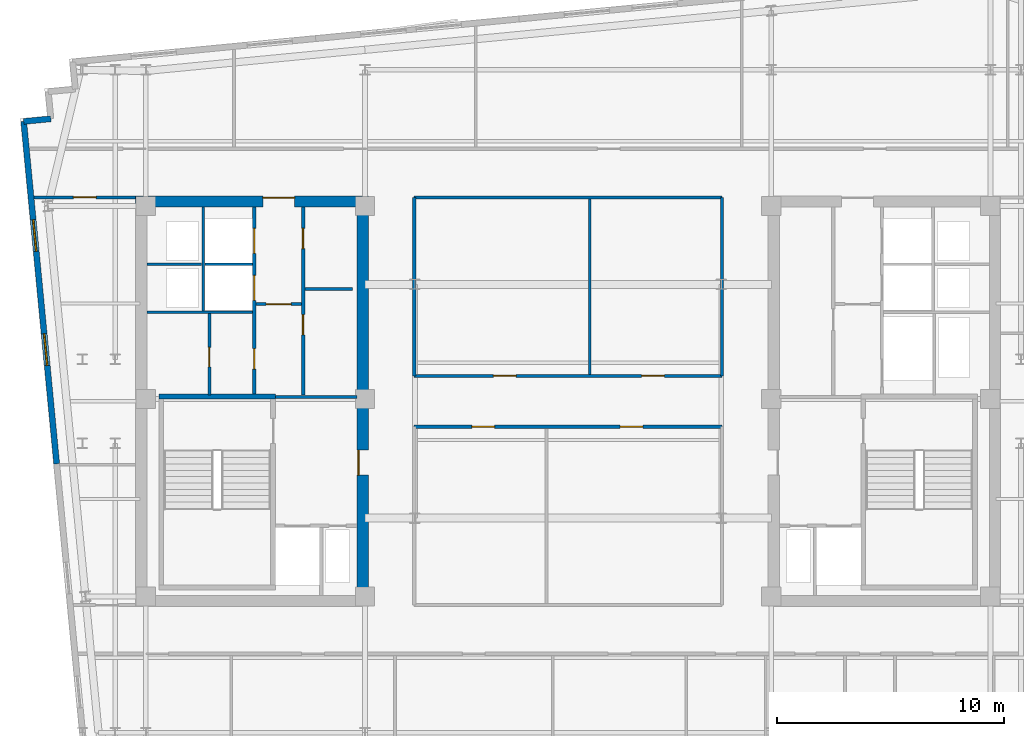
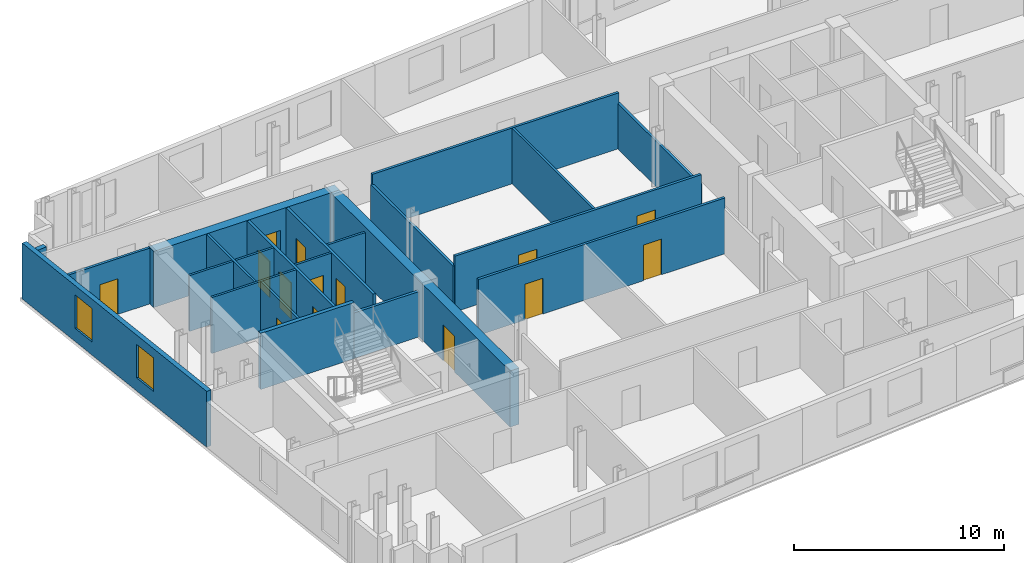
# One storey, part 4 of 9: 22 walls, 14 doors, 2 windows, 16 openings.
"""IFC4 building model written with IfcOpenShell, lengths in metres."""

from ifc_helpers import new_model, si_unit, direction, frame, frame_2d, origin, place, context, subcontext, project, spatial, rectangle, extrude, material, layer, layer_set, type_object, element, fill, save


model = new_model("IFC4")

# Units and contexts
model_context = context("Model", 3, precision=1e-05, world=origin(), true_north=direction((0.0, 1.0)))
body_context = subcontext(model_context, "Body", "Model", "MODEL_VIEW")
ifc_project = project(units=[si_unit("LENGTHUNIT", "METRE"), si_unit("AREAUNIT", "SQUARE_METRE"), si_unit("VOLUMEUNIT", "CUBIC_METRE"), si_unit("PLANEANGLEUNIT", "RADIAN"), si_unit("MASSUNIT", "GRAM", prefix="KILO")], contexts=[model_context])

# Site, building, storey
site_placement = place(None, origin())
site = spatial("IfcSite", under=ifc_project, at=site_placement, CompositionType="ELEMENT")
building_placement = place(site_placement, origin())
building = spatial("IfcBuilding", under=site, at=building_placement, Name="Velakula Bourse", CompositionType="ELEMENT")
storey_placement = place(building_placement, frame((0.0, 0.0, 268.949951171875)))
storey = spatial("IfcBuildingStorey", under=building, at=storey_placement, Name="L73", CompositionType="ELEMENT", Elevation=268.949951171875)

# Wall
ifc_material_1 = material(Name="Concrete M50 (fck 50 MPa)", Category="concrete")
ifc_layer_1 = layer(ifc_material_1, 0.2099609375, Name="Concrete M50 (fck 50 MPa)", Category="concrete")
ifc_layer_set_1 = layer_set([ifc_layer_1], Name="Concrete M50 (fck 50 MPa)")
wall_type_1 = type_object("IfcWallType", Name="WL-CORE-210", PredefinedType="SHEAR", material=ifc_layer_set_1)
wall_1_placement = place(storey_placement, frame((-12.889892578125, 0.205078125, 0.0), z_axis=(0.0, 0.0, 1.0), x_axis=(-1.0, 0.0, 0.0)))
element("IfcWall", 1, at=wall_1_placement, inside=storey, type_object=wall_type_1, Name="L73 Core W Stairwell Shear Wall N", PredefinedType="SHEAR", context=body_context, shape_type="SweptSolid", body=[
    extrude(rectangle(XDim=5.14013671875, YDim=0.2099609375, at=frame_2d((2.570068359375, 0.0))), origin(), (0.0, 0.0, 1.0), 3.27001953125),
])

# Wall, opening, door
ifc_layer_2 = layer(ifc_material_1, 0.5, Name="Concrete M50 (fck 50 MPa)", Category="concrete")
ifc_layer_set_2 = layer_set([ifc_layer_2], Name="Concrete M50 (fck 50 MPa)")
wall_type_2 = type_object("IfcWallType", Name="WL-CORE-500", PredefinedType="SHEAR", material=ifc_layer_set_2)
wall_2_placement = place(storey_placement, frame((-19.050048828125, 8.800048828125, 0.0), z_axis=(0.0, 0.0, 1.0), x_axis=(1.0, 0.0, 0.0)))
wall_2 = element("IfcWall", 2, at=wall_2_placement, inside=storey, type_object=wall_type_2, Name="L73 Core W Shear Wall N", PredefinedType="SHEAR", context=body_context, shape_type="SweptSolid", body=[
    extrude(rectangle(XDim=10.25, YDim=0.5, at=frame_2d((5.125, 0.0))), origin(), (0.0, 0.0, 1.0), 3.27001953125),
])
opening_1_placement = place(wall_2_placement, frame((5.60009765625, 0.0, 0.0)))
opening_1 = element("IfcOpeningElement", 3, at=opening_1_placement, cuts=wall_2, Name="Opening D-LLW", PredefinedType="OPENING", context=body_context, shape_type="SweptSolid", body=[
    extrude(rectangle(XDim=1.39990234375, YDim=2.050048828125, at=frame_2d((0.699951171875, 1.02490234375))), frame((0.0, 0.260009765625, 0.0), z_axis=(0.0, -1.0, 0.0), x_axis=(1.0, 0.0, 0.0)), (0.0, 0.0, 1.0), 0.52001953125),
])
ifc_material_2 = material(Name="Fire-rated hardwood flush architectural door", Category="wood")
door_type_1 = type_object("IfcDoorType", Name="DR-DBL-FD60-1400", OperationType="DOUBLE_DOOR_SINGLE_SWING", PredefinedType="DOOR", material=ifc_material_2)
door_1_placement = place(opening_1_placement, origin())
door_1 = element("IfcDoor", 4, at=door_1_placement, inside=storey, type_object=door_type_1, Name="L73 Core W Lift Lobby Corridor Double Door", OperationType="DOUBLE_DOOR_SINGLE_SWING", OverallHeight=2.050048828125, OverallWidth=1.39990234375, PredefinedType="DOOR", context=body_context, shape_type="SweptSolid", body=[
    extrude(rectangle(XDim=1.39990234375, YDim=2.050048828125, at=frame_2d((0.699951171875, 1.02490234375))), frame((0.0, 0.19482421875, 0.0), z_axis=(0.0, -1.0, 0.0), x_axis=(1.0, 0.0, 0.0)), (0.0, 0.0, 1.0), 0.050048828125),
])
fill(opening_1, door_1)

wall_3_placement = place(storey_placement, frame((-9.050048828125, -8.550048828125, 0.0), z_axis=(0.0, 0.0, 1.0), x_axis=(0.0, 1.0, 0.0)))
wall_3 = element("IfcWall", 5, at=wall_3_placement, inside=storey, type_object=wall_type_2, Name="L73 Core W Shear Wall E", PredefinedType="SHEAR", context=body_context, shape_type="SweptSolid", body=[
    extrude(rectangle(XDim=17.10009765625, YDim=0.5, at=frame_2d((8.550048828125, 0.0))), origin(), (0.0, 0.0, 1.0), 3.27001953125),
])
opening_2_placement = place(wall_3_placement, frame((5.300048828125, 0.0, 0.0)))
opening_2 = element("IfcOpeningElement", 6, at=opening_2_placement, cuts=wall_3, Name="Opening D-FLW", PredefinedType="OPENING", context=body_context, shape_type="SweptSolid", body=[
    extrude(rectangle(XDim=1.10009765625, YDim=2.080078125, at=frame_2d((0.550048828125, 1.0400390625))), frame((0.0, 0.260009765625, 0.0), z_axis=(0.0, -1.0, 0.0), x_axis=(1.0, 0.0, 0.0)), (0.0, 0.0, 1.0), 0.52001953125),
])
ifc_material_3 = material(Name="Galvanised painted hollow steel fire door", Category="steel")
door_type_2 = type_object("IfcDoorType", Name="DR-FD120-1100", OperationType="NOTDEFINED", PredefinedType="DOOR", material=ifc_material_3)
door_2_placement = place(opening_2_placement, origin())
door_2 = element("IfcDoor", 7, at=door_2_placement, inside=storey, type_object=door_type_2, Name="L73 Firefighting Lobby W Corridor Fire Door", OperationType="SINGLE_SWING_LEFT", OverallHeight=2.080078125, OverallWidth=1.10009765625, PredefinedType="DOOR", context=body_context, shape_type="SweptSolid", body=[
    extrude(rectangle(XDim=1.10009765625, YDim=2.080078125, at=frame_2d((0.550048828125, 1.0400390625))), frame((0.0, 0.205078125, 0.0), z_axis=(0.0, -1.0, 0.0), x_axis=(1.0, 0.0, 0.0)), (0.0, 0.0, 1.0), 0.050048828125),
])
fill(opening_2, door_2)

# Wall, openings, windows
ifc_material_4 = material(Name="Buff kilned clay facing brick masonry", Category="masonry")
ifc_layer_3 = layer(ifc_material_4, 0.260009765625, Name="Buff kilned clay facing brick masonry", Category="masonry")
ifc_layer_set_3 = layer_set([ifc_layer_3], Name="Buff kilned clay facing brick masonry")
wall_type_3 = type_object("IfcWallType", Name="WL-EXT-BRK-260", PredefinedType="STANDARD", material=ifc_layer_set_3)
wall_4_placement = place(storey_placement, frame((-22.52734375, -2.75439453125, 0.0), z_axis=(0.0, 0.0, 1.0), x_axis=(-0.095850890337, 0.995395703638, 0.0)))
wall_4 = element("IfcWall", 8, at=wall_4_placement, inside=storey, type_object=wall_type_3, Name="L73 W Brick End Wall W2", PredefinedType="STANDARD", context=body_context, shape_type="SweptSolid", body=[
    extrude(rectangle(XDim=15.150146484375, YDim=0.260009765625, at=frame_2d((7.5751953125, 0.0))), origin(), (0.0, 0.0, 1.0), 3.25),
])
opening_3_placement = place(wall_4_placement, frame((4.35009765625, 0.0, 0.760009765625)))
opening_3 = element("IfcOpeningElement", 9, at=opening_3_placement, cuts=wall_4, Name="Opening W-03", PredefinedType="OPENING", context=body_context, shape_type="SweptSolid", body=[
    extrude(rectangle(XDim=1.39990234375, YDim=1.949951171875, at=frame_2d((0.699951171875, 0.97509765625))), frame((0.0, 0.139892578125, 0.0), z_axis=(0.0, -1.0, 0.0), x_axis=(1.0, 0.0, 0.0)), (0.0, 0.0, 1.0), 0.280029296875),
])
opening_4_placement = place(wall_4_placement, frame((9.39990234375, 0.0, 0.760009765625)))
opening_4 = element("IfcOpeningElement", 10, at=opening_4_placement, cuts=wall_4, Name="Opening W-03", PredefinedType="OPENING", context=body_context, shape_type="SweptSolid", body=[
    extrude(rectangle(XDim=1.39990234375, YDim=1.949951171875, at=frame_2d((0.699951171875, 0.97509765625))), frame((0.0, 0.139892578125, 0.0), z_axis=(0.0, -1.0, 0.0), x_axis=(1.0, 0.0, 0.0)), (0.0, 0.0, 1.0), 0.280029296875),
])
ifc_material_5 = material(Name="Double-glazed solar-control Low-E glass", Category="glass")
window_type = type_object("IfcWindowType", Name="WIN-TWR-1400x2100", PartitioningType="SINGLE_PANEL", PredefinedType="WINDOW", material=ifc_material_5)
window_1_placement = place(opening_3_placement, origin())
window_1 = element("IfcWindow", 11, at=window_1_placement, inside=storey, type_object=window_type, Name="L73 Deep-Set Recessed Window 1", OverallHeight=1.949951171875, OverallWidth=1.39990234375, PartitioningType="SINGLE_PANEL", PredefinedType="WINDOW", context=body_context, shape_type="SweptSolid", body=[
    extrude(rectangle(XDim=1.39990234375, YDim=1.949951171875, at=frame_2d((0.699951171875, 0.97509765625))), frame((0.0, 0.030029296875, 0.0), z_axis=(0.0, -1.0, 0.0), x_axis=(1.0, 0.0, 0.0)), (0.0, 0.0, 1.0), 0.06005859375),
])
fill(opening_3, window_1)
window_2_placement = place(opening_4_placement, origin())
window_2 = element("IfcWindow", 12, at=window_2_placement, inside=storey, type_object=window_type, Name="L73 Deep-Set Recessed Window 2", OverallHeight=1.949951171875, OverallWidth=1.39990234375, PartitioningType="SINGLE_PANEL", PredefinedType="WINDOW", context=body_context, shape_type="SweptSolid", body=[
    extrude(rectangle(XDim=1.39990234375, YDim=1.949951171875, at=frame_2d((0.699951171875, 0.97509765625))), frame((0.0, 0.030029296875, 0.0), z_axis=(0.0, -1.0, 0.0), x_axis=(1.0, 0.0, 0.0)), (0.0, 0.0, 1.0), 0.06005859375),
])
fill(opening_4, window_2)

# Wall
wall_5_placement = place(storey_placement, frame((-22.784912109375, 12.44091796875, 0.0), z_axis=(0.0, 0.0, 1.0), x_axis=(-0.995398960025, -0.095817067274, 0.0)))
element("IfcWall", 13, at=wall_5_placement, inside=storey, type_object=wall_type_3, Name="L73 Serrated Corner Brick Wall NW-4", PredefinedType="STANDARD", context=body_context, shape_type="SweptSolid", body=[
    extrude(rectangle(XDim=1.2001953125, YDim=0.260009765625, at=frame_2d((0.60009765625, 0.0))), origin(), (0.0, 0.0, 1.0), 2.56494140625),
])

# Wall, opening, door
ifc_material_6 = material(Name="Fire-rated double-layer gypsum drywall partition", Category="gypsum")
ifc_layer_4 = layer(ifc_material_6, 0.1201171875, Name="Fire-rated double-layer gypsum drywall partition", Category="gypsum")
ifc_layer_set_4 = layer_set([ifc_layer_4], Name="Fire-rated double-layer gypsum drywall partition")
wall_type_4 = type_object("IfcWallType", Name="WL-PART-120", PredefinedType="STANDARD", material=ifc_layer_set_4)
wall_6_placement = place(storey_placement, frame((-13.75, 4.280029296875, 0.0), z_axis=(0.0, 0.0, 1.0), x_axis=(1.0, 0.0, 0.0)))
wall_6 = element("IfcWall", 14, at=wall_6_placement, inside=storey, type_object=wall_type_4, Name="L73 Interior Partition WL-CRW-L73-LL-K2", PredefinedType="STANDARD", context=body_context, shape_type="SweptSolid", body=[
    extrude(rectangle(XDim=2.0, YDim=0.1201171875, at=frame_2d((1.0, 0.0))), origin(), (0.0, 0.0, 1.0), 3.25),
])
opening_5_placement = place(wall_6_placement, frame((0.449951171875, 0.0, 0.0)))
opening_5 = element("IfcOpeningElement", 15, at=opening_5_placement, cuts=wall_6, Name="Opening D-LK2", PredefinedType="OPENING", context=body_context, shape_type="SweptSolid", body=[
    extrude(rectangle(XDim=1.10009765625, YDim=2.10009765625, at=frame_2d((0.550048828125, 1.050048828125))), frame((0.0, 0.070068359375, 0.0), z_axis=(0.0, -1.0, 0.0), x_axis=(1.0, 0.0, 0.0)), (0.0, 0.0, 1.0), 0.14013671875),
])
door_type_3 = type_object("IfcDoorType", Name="DR-FD60-1100x2100", OperationType="NOTDEFINED", PredefinedType="DOOR", material=ifc_material_2)
door_3_placement = place(opening_5_placement, origin())
door_3 = element("IfcDoor", 16, at=door_3_placement, inside=storey, type_object=door_type_3, Name="L73 Core W Lift Lobby Zone Door", OperationType="SINGLE_SWING_RIGHT", OverallHeight=2.10009765625, OverallWidth=1.10009765625, PredefinedType="DOOR", context=body_context, shape_type="SweptSolid", body=[
    extrude(rectangle(XDim=1.10009765625, YDim=2.10009765625, at=frame_2d((0.550048828125, 1.050048828125))), frame((0.0, 0.02490234375, 0.0), z_axis=(0.0, -1.0, 0.0), x_axis=(1.0, 0.0, 0.0)), (0.0, 0.0, 1.0), 0.050048828125),
])
fill(opening_5, door_3)

# Walls
wall_7_placement = place(storey_placement, frame((-11.60009765625, 4.949951171875, 0.0), z_axis=(0.0, 0.0, 1.0), x_axis=(1.0, 0.0, 0.0)))
element("IfcWall", 17, at=wall_7_placement, inside=storey, type_object=wall_type_4, Name="L73 Interior Partition WL-CRW-L73-RCDIV", PredefinedType="STANDARD", context=body_context, shape_type="SweptSolid", body=[
    extrude(rectangle(XDim=2.10009765625, YDim=0.1201171875, at=frame_2d((1.050048828125, 0.0))), origin(), (0.0, 0.0, 1.0), 3.25),
])
wall_8_placement = place(storey_placement, frame((-18.550048828125, 3.919921875, 0.0), z_axis=(0.0, 0.0, 1.0), x_axis=(1.0, 0.0, 0.0)))
element("IfcWall", 18, at=wall_8_placement, inside=storey, type_object=wall_type_4, Name="L73 Interior Partition WL-CRW-L73-HI-S", PredefinedType="STANDARD", context=body_context, shape_type="SweptSolid", body=[
    extrude(rectangle(XDim=4.650146484375, YDim=0.1201171875, at=frame_2d((2.3251953125, 0.0))), origin(), (0.0, 0.0, 1.0), 3.25),
])
wall_9_placement = place(storey_placement, frame((-18.550048828125, 6.030029296875, 0.0), z_axis=(0.0, 0.0, 1.0), x_axis=(1.0, 0.0, 0.0)))
element("IfcWall", 19, at=wall_9_placement, inside=storey, type_object=wall_type_4, Name="L73 Interior Partition WL-CRW-L73-RIS-MID", PredefinedType="STANDARD", context=body_context, shape_type="SweptSolid", body=[
    extrude(rectangle(XDim=2.400146484375, YDim=0.1201171875, at=frame_2d((1.2001953125, 0.0))), origin(), (0.0, 0.0, 1.0), 3.25),
])
wall_10_placement = place(storey_placement, frame((-16.074951171875, 3.97998046875, 0.0), z_axis=(0.0, 0.0, 1.0), x_axis=(0.0, 1.0, 0.0)))
element("IfcWall", 20, at=wall_10_placement, inside=storey, type_object=wall_type_4, Name="L73 Interior Partition WL-CRW-L73-RIS-F", PredefinedType="STANDARD", context=body_context, shape_type="SweptSolid", body=[
    extrude(rectangle(XDim=4.570068359375, YDim=0.1201171875, at=frame_2d((2.28515625, 0.0))), origin(), (0.0, 0.0, 1.0), 3.25),
])
wall_11_placement = place(storey_placement, frame((-16.0, 6.030029296875, 0.0), z_axis=(0.0, 0.0, 1.0), x_axis=(1.0, 0.0, 0.0)))
element("IfcWall", 21, at=wall_11_placement, inside=storey, type_object=wall_type_4, Name="L73 Interior Partition WL-CRW-L73-HI-DIV", PredefinedType="STANDARD", context=body_context, shape_type="SweptSolid", body=[
    extrude(rectangle(XDim=2.10009765625, YDim=0.1201171875, at=frame_2d((1.050048828125, 0.0))), origin(), (0.0, 0.0, 1.0), 3.25),
])

# Wall, opening, door
wall_12_placement = place(storey_placement, frame((-15.800048828125, 0.27001953125, 0.0), z_axis=(0.0, 0.0, 1.0), x_axis=(0.0, 1.0, 0.0)))
wall_12 = element("IfcWall", 22, at=wall_12_placement, inside=storey, type_object=wall_type_4, Name="L73 Interior Partition WL-CRW-L73-K2", PredefinedType="STANDARD", context=body_context, shape_type="SweptSolid", body=[
    extrude(rectangle(XDim=3.590087890625, YDim=0.1201171875, at=frame_2d((1.794921875, 0.0))), origin(), (0.0, 0.0, 1.0), 3.25),
])
opening_6_placement = place(wall_12_placement, frame((1.25, 0.0, 0.0)))
opening_6 = element("IfcOpeningElement", 23, at=opening_6_placement, cuts=wall_12, Name="Opening D-CE1", PredefinedType="OPENING", context=body_context, shape_type="SweptSolid", body=[
    extrude(rectangle(XDim=0.85009765625, YDim=2.050048828125, at=frame_2d((0.425048828125, 1.02490234375))), frame((0.0, 0.070068359375, 0.0), z_axis=(0.0, -1.0, 0.0), x_axis=(1.0, 0.0, 0.0)), (0.0, 0.0, 1.0), 0.14013671875),
])
door_type_4 = type_object("IfcDoorType", Name="DR-INT-850", OperationType="NOTDEFINED", PredefinedType="DOOR", material=ifc_material_2)
door_4_placement = place(opening_6_placement, origin())
door_4 = element("IfcDoor", 24, at=door_4_placement, inside=storey, type_object=door_type_4, Name="L73 Core Equipment Store Door", OperationType="SINGLE_SWING_RIGHT", OverallHeight=2.050048828125, OverallWidth=0.85009765625, PredefinedType="DOOR", context=body_context, shape_type="SweptSolid", body=[
    extrude(rectangle(XDim=0.85009765625, YDim=2.050048828125, at=frame_2d((0.425048828125, 1.02490234375))), frame((0.0, 0.02490234375, 0.0), z_axis=(0.0, -1.0, 0.0), x_axis=(1.0, 0.0, 0.0)), (0.0, 0.0, 1.0), 0.050048828125),
])
fill(opening_6, door_4)

ifc_layer_5 = layer(ifc_material_6, 0.139892578125, Name="Fire-rated double-layer gypsum drywall partition", Category="gypsum")
ifc_layer_set_5 = layer_set([ifc_layer_5], Name="Fire-rated double-layer gypsum drywall partition")
wall_type_5 = type_object("IfcWallType", Name="WL-PART-140", PredefinedType="STANDARD", material=ifc_layer_set_5)
wall_13_placement = place(storey_placement, frame((-23.526611328125, 8.97998046875, 0.0), z_axis=(0.0, 0.0, 1.0), x_axis=(1.0, 0.0, 0.0)))
wall_13 = element("IfcWall", 25, at=wall_13_placement, inside=storey, type_object=wall_type_5, Name="L73 Interior Partition WL-INT-L73-W-NC", PredefinedType="STANDARD", context=body_context, shape_type="SweptSolid", body=[
    extrude(rectangle(XDim=4.4765625, YDim=0.139892578125, at=frame_2d((2.23828125, 0.0))), origin(), (0.0, 0.0, 1.0), 3.25),
])
opening_7_placement = place(wall_13_placement, frame((1.73828125, 0.0, 0.0)))
opening_7 = element("IfcOpeningElement", 26, at=opening_7_placement, cuts=wall_13, Name="Opening D-OF1", PredefinedType="OPENING", context=body_context, shape_type="SweptSolid", body=[
    extrude(rectangle(XDim=1.0, YDim=2.080078125, at=frame_2d((0.5, 1.0400390625))), frame((0.0, 0.079833984375, 0.0), z_axis=(0.0, -1.0, 0.0), x_axis=(1.0, 0.0, 0.0)), (0.0, 0.0, 1.0), 0.159912109375),
])
door_type_5 = type_object("IfcDoorType", Name="DR-OFF-1000", OperationType="NOTDEFINED", PredefinedType="DOOR", material=ifc_material_2)
door_5_placement = place(opening_7_placement, origin())
door_5 = element("IfcDoor", 27, at=door_5_placement, inside=storey, type_object=door_type_5, Name="L73 Company Secretary Office Door", OperationType="SINGLE_SWING_LEFT", OverallHeight=2.080078125, OverallWidth=1.0, PredefinedType="DOOR", context=body_context, shape_type="SweptSolid", body=[
    extrude(rectangle(XDim=1.0, YDim=2.080078125, at=frame_2d((0.5, 1.0400390625))), frame((0.0, 0.02490234375, 0.0), z_axis=(0.0, -1.0, 0.0), x_axis=(1.0, 0.0, 0.0)), (0.0, 0.0, 1.0), 0.050048828125),
])
fill(opening_7, door_5)

# Wall, openings, doors
wall_14_placement = place(storey_placement, frame((-6.780029296875, 1.1201171875, 0.0), z_axis=(0.0, 0.0, 1.0), x_axis=(1.0, 0.0, 0.0)))
wall_14 = element("IfcWall", 28, at=wall_14_placement, inside=storey, type_object=wall_type_5, Name="L73 Interior Partition WL-INT-L73-MN-IN", PredefinedType="STANDARD", context=body_context, shape_type="SweptSolid", body=[
    extrude(rectangle(XDim=13.56005859375, YDim=0.139892578125, at=frame_2d((6.780029296875, 0.0))), origin(), (0.0, 0.0, 1.0), 3.25),
])
opening_8_placement = place(wall_14_placement, frame((3.490966796875, 0.0, 0.0)))
opening_8 = element("IfcOpeningElement", 29, at=opening_8_placement, cuts=wall_14, Name="Opening D-OF1", PredefinedType="OPENING", context=body_context, shape_type="SweptSolid", body=[
    extrude(rectangle(XDim=1.0, YDim=2.080078125, at=frame_2d((0.5, 1.0400390625))), frame((0.0, 0.079833984375, 0.0), z_axis=(0.0, -1.0, 0.0), x_axis=(1.0, 0.0, 0.0)), (0.0, 0.0, 1.0), 0.159912109375),
])
opening_9_placement = place(wall_14_placement, frame((10.01904296875, 0.0, 0.0)))
opening_9 = element("IfcOpeningElement", 30, at=opening_9_placement, cuts=wall_14, Name="Opening D-OF1", PredefinedType="OPENING", context=body_context, shape_type="SweptSolid", body=[
    extrude(rectangle(XDim=1.0, YDim=2.080078125, at=frame_2d((0.5, 1.0400390625))), frame((0.0, 0.079833984375, 0.0), z_axis=(0.0, -1.0, 0.0), x_axis=(1.0, 0.0, 0.0)), (0.0, 0.0, 1.0), 0.159912109375),
])
door_6_placement = place(opening_8_placement, origin())
door_6 = element("IfcDoor", 31, at=door_6_placement, inside=storey, type_object=door_type_5, Name="L73 Issuer Relations Office Door", OperationType="SINGLE_SWING_LEFT", OverallHeight=2.080078125, OverallWidth=1.0, PredefinedType="DOOR", context=body_context, shape_type="SweptSolid", body=[
    extrude(rectangle(XDim=1.0, YDim=2.080078125, at=frame_2d((0.5, 1.0400390625))), frame((0.0, 0.02490234375, 0.0), z_axis=(0.0, -1.0, 0.0), x_axis=(1.0, 0.0, 0.0)), (0.0, 0.0, 1.0), 0.050048828125),
])
fill(opening_8, door_6)
door_7_placement = place(opening_9_placement, origin())
door_7 = element("IfcDoor", 32, at=door_7_placement, inside=storey, type_object=door_type_5, Name="L73 Asset Allocation Office Door", OperationType="SINGLE_SWING_RIGHT", OverallHeight=2.080078125, OverallWidth=1.0, PredefinedType="DOOR", context=body_context, shape_type="SweptSolid", body=[
    extrude(rectangle(XDim=1.0, YDim=2.080078125, at=frame_2d((0.5, 1.0400390625))), frame((0.0, 0.02490234375, 0.0), z_axis=(0.0, -1.0, 0.0), x_axis=(1.0, 0.0, 0.0)), (0.0, 0.0, 1.0), 0.050048828125),
])
fill(opening_9, door_7)

# Walls
wall_15_placement = place(storey_placement, frame((-6.780029296875, 8.97998046875, 0.0), z_axis=(0.0, 0.0, 1.0), x_axis=(1.0, 0.0, 0.0)))
element("IfcWall", 33, at=wall_15_placement, inside=storey, type_object=wall_type_5, Name="L73 Interior Partition WL-INT-L73-MN-OUT", PredefinedType="STANDARD", context=body_context, shape_type="SweptSolid", body=[
    extrude(rectangle(XDim=13.56005859375, YDim=0.139892578125, at=frame_2d((6.780029296875, 0.0))), origin(), (0.0, 0.0, 1.0), 3.25),
])
for number, where, z_axis, x_axis, name in (
    (34, (-6.780029296875, 1.1201171875, 0.0), (0.0, 0.0, 1.0), (0.0, 1.0, 0.0), "L73 Interior Partition WL-INT-L73-MN-W"),
    (35, (6.780029296875, 1.1201171875, 0.0), (0.0, 0.0, 1.0), (0.0, 1.0, 0.0), "L73 Interior Partition WL-INT-L73-MN-E"),
):
    element("IfcWall", number, at=place(storey_placement, frame(where, z_axis=z_axis, x_axis=x_axis)), inside=storey, type_object=wall_type_5, Name=name, PredefinedType="STANDARD", context=body_context, shape_type="SweptSolid", body=[
        extrude(rectangle(XDim=7.85986328125, YDim=0.139892578125, at=frame_2d((3.929931640625, 0.0))), origin(), (0.0, 0.0, 1.0), 2.64501953125),
    ])
wall_16_placement = place(storey_placement, frame((0.949951171875, 1.18994140625, 0.0), z_axis=(0.0, 0.0, 1.0), x_axis=(0.0, 1.0, 0.0)))
element("IfcWall", 36, at=wall_16_placement, inside=storey, type_object=wall_type_5, Name="L73 Interior Partition WL-INT-L73-MN-V1", PredefinedType="STANDARD", context=body_context, shape_type="SweptSolid", body=[
    extrude(rectangle(XDim=7.719970703125, YDim=0.1201171875, at=frame_2d((3.85986328125, 0.0))), origin(), (0.0, 0.0, 1.0), 3.25),
])

# Wall, openings, doors
wall_17_placement = place(storey_placement, frame((-6.780029296875, -1.1201171875, 0.0), z_axis=(0.0, 0.0, 1.0), x_axis=(1.0, 0.0, 0.0)))
wall_17 = element("IfcWall", 37, at=wall_17_placement, inside=storey, type_object=wall_type_5, Name="L73 Interior Partition WL-INT-L73-MS-IN", PredefinedType="STANDARD", context=body_context, shape_type="SweptSolid", body=[
    extrude(rectangle(XDim=13.56005859375, YDim=0.139892578125, at=frame_2d((6.780029296875, 0.0))), origin(), (0.0, 0.0, 1.0), 3.25),
])
opening_10_placement = place(wall_17_placement, frame((2.541015625, 0.0, 0.0)))
opening_10 = element("IfcOpeningElement", 38, at=opening_10_placement, cuts=wall_17, Name="Opening D-OF1", PredefinedType="OPENING", context=body_context, shape_type="SweptSolid", body=[
    extrude(rectangle(XDim=1.0, YDim=2.080078125, at=frame_2d((0.5, 1.0400390625))), frame((0.0, 0.079833984375, 0.0), z_axis=(0.0, -1.0, 0.0), x_axis=(1.0, 0.0, 0.0)), (0.0, 0.0, 1.0), 0.159912109375),
])
opening_11_placement = place(wall_17_placement, frame((9.069091796875, 0.0, 0.0)))
opening_11 = element("IfcOpeningElement", 39, at=opening_11_placement, cuts=wall_17, Name="Opening D-OF1", PredefinedType="OPENING", context=body_context, shape_type="SweptSolid", body=[
    extrude(rectangle(XDim=1.0, YDim=2.080078125, at=frame_2d((0.5, 1.0400390625))), frame((0.0, 0.079833984375, 0.0), z_axis=(0.0, -1.0, 0.0), x_axis=(1.0, 0.0, 0.0)), (0.0, 0.0, 1.0), 0.159912109375),
])
door_8_placement = place(opening_10_placement, origin())
door_8 = element("IfcDoor", 40, at=door_8_placement, inside=storey, type_object=door_type_5, Name="L73 Company Secretary Office Door", OperationType="SINGLE_SWING_LEFT", OverallHeight=2.080078125, OverallWidth=1.0, PredefinedType="DOOR", context=body_context, shape_type="SweptSolid", body=[
    extrude(rectangle(XDim=1.0, YDim=2.080078125, at=frame_2d((0.5, 1.0400390625))), frame((0.0, 0.02490234375, 0.0), z_axis=(0.0, -1.0, 0.0), x_axis=(1.0, 0.0, 0.0)), (0.0, 0.0, 1.0), 0.050048828125),
])
fill(opening_10, door_8)
door_9_placement = place(opening_11_placement, origin())
door_9 = element("IfcDoor", 41, at=door_9_placement, inside=storey, type_object=door_type_5, Name="L73 General Counsel Office Door", OperationType="SINGLE_SWING_RIGHT", OverallHeight=2.080078125, OverallWidth=1.0, PredefinedType="DOOR", context=body_context, shape_type="SweptSolid", body=[
    extrude(rectangle(XDim=1.0, YDim=2.080078125, at=frame_2d((0.5, 1.0400390625))), frame((0.0, 0.02490234375, 0.0), z_axis=(0.0, -1.0, 0.0), x_axis=(1.0, 0.0, 0.0)), (0.0, 0.0, 1.0), 0.050048828125),
])
fill(opening_11, door_9)

# Wall
ifc_material_7 = material(Name="Autoclaved aerated concrete blockwork masonry", Category="masonry")
ifc_layer_6 = layer(ifc_material_7, 0.14990234375, Name="Autoclaved aerated concrete blockwork masonry", Category="masonry")
ifc_layer_set_6 = layer_set([ifc_layer_6], Name="Autoclaved aerated concrete blockwork masonry")
wall_type_6 = type_object("IfcWallType", Name="WL-SHAFT-150", PredefinedType="STANDARD", material=ifc_layer_set_6)
wall_18_placement = place(storey_placement, frame((-12.889892578125, 0.18994140625, 0.0), z_axis=(0.0, 0.0, 1.0), x_axis=(1.0, 0.0, 0.0)))
element("IfcWall", 42, at=wall_18_placement, inside=storey, type_object=wall_type_6, Name="L73 Interior Partition WL-CRW-L73-FF-TOP", PredefinedType="STANDARD", context=body_context, shape_type="SweptSolid", body=[
    extrude(rectangle(XDim=3.58984375, YDim=0.14990234375, at=frame_2d((1.794921875, 0.0))), origin(), (0.0, 0.0, 1.0), 2.64501953125),
])

# Wall, openings, doors
wall_19_placement = place(storey_placement, frame((-11.675048828125, 0.27001953125, 0.0), z_axis=(0.0, 0.0, 1.0), x_axis=(0.0, 1.0, 0.0)))
wall_19 = element("IfcWall", 43, at=wall_19_placement, inside=storey, type_object=wall_type_6, Name="L73 Interior Partition WL-CRW-L73-BANK-F", PredefinedType="STANDARD", context=body_context, shape_type="SweptSolid", body=[
    extrude(rectangle(XDim=8.280029296875, YDim=0.14990234375, at=frame_2d((4.14013671875, 0.0))), origin(), (0.0, 0.0, 1.0), 3.25),
])
opening_12_placement = place(wall_19_placement, frame((2.64990234375, 0.0, 0.0)))
opening_12 = element("IfcOpeningElement", 44, at=opening_12_placement, cuts=wall_19, Name="Opening D-RC1", PredefinedType="OPENING", context=body_context, shape_type="SweptSolid", body=[
    extrude(rectangle(XDim=0.89990234375, YDim=2.050048828125, at=frame_2d((0.449951171875, 1.02490234375))), frame((0.0, 0.0849609375, 0.0), z_axis=(0.0, -1.0, 0.0), x_axis=(1.0, 0.0, 0.0)), (0.0, 0.0, 1.0), 0.169921875),
])
opening_13_placement = place(wall_19_placement, frame((6.449951171875, 0.0, 0.0)))
opening_13 = element("IfcOpeningElement", 45, at=opening_13_placement, cuts=wall_19, Name="Opening D-RC1", PredefinedType="OPENING", context=body_context, shape_type="SweptSolid", body=[
    extrude(rectangle(XDim=0.89990234375, YDim=2.050048828125, at=frame_2d((0.449951171875, 1.02490234375))), frame((0.0, 0.0849609375, 0.0), z_axis=(0.0, -1.0, 0.0), x_axis=(1.0, 0.0, 0.0)), (0.0, 0.0, 1.0), 0.169921875),
])
door_type_6 = type_object("IfcDoorType", Name="DR-FD60-900", OperationType="NOTDEFINED", PredefinedType="DOOR", material=ifc_material_2)
door_10_placement = place(opening_12_placement, origin())
door_10 = element("IfcDoor", 46, at=door_10_placement, inside=storey, type_object=door_type_6, Name="L73 Reclaimed Archive Room Door", OperationType="SINGLE_SWING_RIGHT", OverallHeight=2.050048828125, OverallWidth=0.89990234375, PredefinedType="DOOR", context=body_context, shape_type="SweptSolid", body=[
    extrude(rectangle(XDim=0.89990234375, YDim=2.050048828125, at=frame_2d((0.449951171875, 1.02490234375))), frame((0.0, 0.02490234375, 0.0), z_axis=(0.0, -1.0, 0.0), x_axis=(1.0, 0.0, 0.0)), (0.0, 0.0, 1.0), 0.050048828125),
])
fill(opening_12, door_10)
door_11_placement = place(opening_13_placement, origin())
door_11 = element("IfcDoor", 47, at=door_11_placement, inside=storey, type_object=door_type_6, Name="L73 Reclaimed Registry Store Door", OperationType="SINGLE_SWING_LEFT", OverallHeight=2.050048828125, OverallWidth=0.89990234375, PredefinedType="DOOR", context=body_context, shape_type="SweptSolid", body=[
    extrude(rectangle(XDim=0.89990234375, YDim=2.050048828125, at=frame_2d((0.449951171875, 1.02490234375))), frame((0.0, 0.02490234375, 0.0), z_axis=(0.0, -1.0, 0.0), x_axis=(1.0, 0.0, 0.0)), (0.0, 0.0, 1.0), 0.050048828125),
])
fill(opening_13, door_11)

wall_20_placement = place(storey_placement, frame((-13.824951171875, 0.27001953125, 0.0), z_axis=(0.0, 0.0, 1.0), x_axis=(0.0, 1.0, 0.0)))
wall_20 = element("IfcWall", 48, at=wall_20_placement, inside=storey, type_object=wall_type_6, Name="L73 Interior Partition WL-CRW-L73-OUT-F", PredefinedType="STANDARD", context=body_context, shape_type="SweptSolid", body=[
    extrude(rectangle(XDim=8.280029296875, YDim=0.14990234375, at=frame_2d((4.14013671875, 0.0))), origin(), (0.0, 0.0, 1.0), 3.25),
])
opening_14_placement = place(wall_20_placement, frame((4.175048828125, 0.0, 0.0)))
opening_14 = element("IfcOpeningElement", 49, at=opening_14_placement, cuts=wall_20, Name="Opening LD-P9", PredefinedType="OPENING", context=body_context, shape_type="SweptSolid", body=[
    extrude(rectangle(XDim=1.10009765625, YDim=2.10009765625, at=frame_2d((0.550048828125, 1.050048828125))), frame((0.0, 0.0849609375, 0.0), z_axis=(0.0, -1.0, 0.0), x_axis=(1.0, 0.0, 0.0)), (0.0, 0.0, 1.0), 0.169921875),
])
opening_15_placement = place(wall_20_placement, frame((6.2451171875, 0.0, 0.0)))
opening_15 = element("IfcOpeningElement", 50, at=opening_15_placement, cuts=wall_20, Name="Opening LD-P10", PredefinedType="OPENING", context=body_context, shape_type="SweptSolid", body=[
    extrude(rectangle(XDim=1.10009765625, YDim=2.10009765625, at=frame_2d((0.550048828125, 1.050048828125))), frame((0.0, 0.0849609375, 0.0), z_axis=(0.0, -1.0, 0.0), x_axis=(1.0, 0.0, 0.0)), (0.0, 0.0, 1.0), 0.169921875),
])
opening_16_placement = place(wall_20_placement, frame((1.14990234375, 0.0, 0.0)))
opening_16 = element("IfcOpeningElement", 51, at=opening_16_placement, cuts=wall_20, Name="Opening D-CP1", PredefinedType="OPENING", context=body_context, shape_type="SweptSolid", body=[
    extrude(rectangle(XDim=0.89990234375, YDim=2.050048828125, at=frame_2d((0.449951171875, 1.02490234375))), frame((0.0, 0.0849609375, 0.0), z_axis=(0.0, -1.0, 0.0), x_axis=(1.0, 0.0, 0.0)), (0.0, 0.0, 1.0), 0.169921875),
])
door_type_7 = type_object("IfcDoorType", Name="DR-INT-900", OperationType="NOTDEFINED", PredefinedType="DOOR", material=ifc_material_2)
door_12_placement = place(opening_16_placement, origin())
door_12 = element("IfcDoor", 52, at=door_12_placement, inside=storey, type_object=door_type_7, Name="L73 Core Tea Pantry Door", OperationType="SINGLE_SWING_LEFT", OverallHeight=2.050048828125, OverallWidth=0.89990234375, PredefinedType="DOOR", context=body_context, shape_type="SweptSolid", body=[
    extrude(rectangle(XDim=0.89990234375, YDim=2.050048828125, at=frame_2d((0.449951171875, 1.02490234375))), frame((0.0, 0.02490234375, 0.0), z_axis=(0.0, -1.0, 0.0), x_axis=(1.0, 0.0, 0.0)), (0.0, 0.0, 1.0), 0.050048828125),
])
fill(opening_16, door_12)
ifc_material_8 = material(Name="Brushed grade 316 stainless steel", Category="steel")
door_type_8 = type_object("IfcDoorType", Name="DR-SLIDE-LD-1100", OperationType="DOUBLE_DOOR_SLIDING", PredefinedType="DOOR", material=ifc_material_8)
door_13_placement = place(opening_14_placement, origin())
door_13 = element("IfcDoor", 53, at=door_13_placement, inside=storey, type_object=door_type_8, Name="L73 Passenger Lift P9 Sliding Landing Door", OperationType="DOUBLE_DOOR_SLIDING", OverallHeight=2.10009765625, OverallWidth=1.10009765625, PredefinedType="DOOR", context=body_context, shape_type="SweptSolid", body=[
    extrude(rectangle(XDim=1.10009765625, YDim=2.10009765625, at=frame_2d((0.550048828125, 1.050048828125))), frame((0.0, 0.02490234375, 0.0), z_axis=(0.0, -1.0, 0.0), x_axis=(1.0, 0.0, 0.0)), (0.0, 0.0, 1.0), 0.050048828125),
])
fill(opening_14, door_13)
door_14_placement = place(opening_15_placement, origin())
door_14 = element("IfcDoor", 54, at=door_14_placement, inside=storey, type_object=door_type_8, Name="L73 Passenger Lift P10 Sliding Landing Door", OperationType="DOUBLE_DOOR_SLIDING", OverallHeight=2.10009765625, OverallWidth=1.10009765625, PredefinedType="DOOR", context=body_context, shape_type="SweptSolid", body=[
    extrude(rectangle(XDim=1.10009765625, YDim=2.10009765625, at=frame_2d((0.550048828125, 1.050048828125))), frame((0.0, 0.02490234375, 0.0), z_axis=(0.0, -1.0, 0.0), x_axis=(1.0, 0.0, 0.0)), (0.0, 0.0, 1.0), 0.050048828125),
])
fill(opening_15, door_14)

save(model, "model.ifc")
